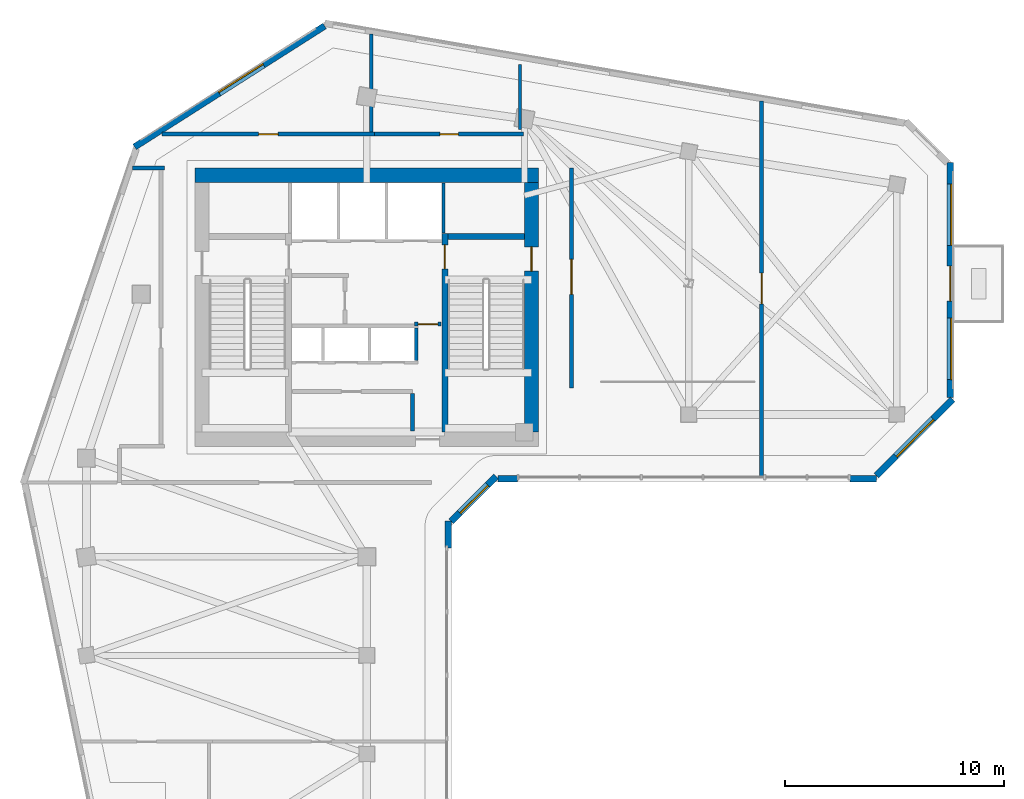
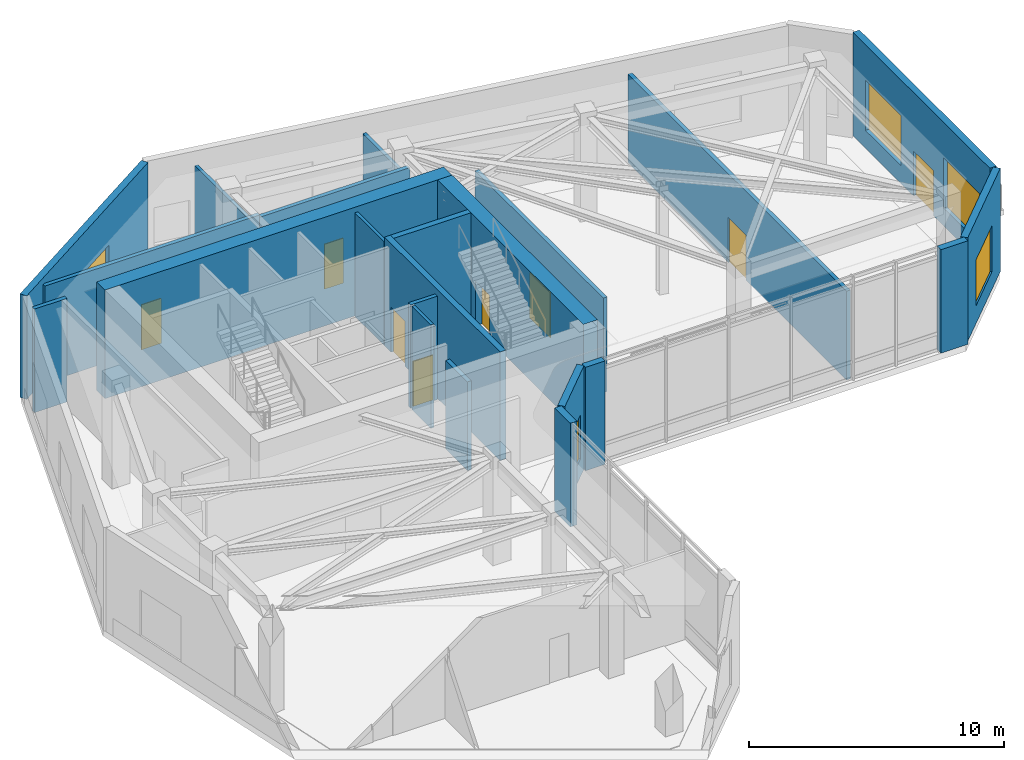
# One storey, part 6 of 10: 22 walls, 8 doors, 5 windows, 13 openings.
"""IFC4 building model written with IfcOpenShell, lengths in metres."""

from ifc_helpers import new_model, si_unit, direction, frame, frame_2d, origin, place, context, subcontext, project, spatial, rectangle, extrude, source, transform, mapped, material, layer, layer_set, type_object, element, fill, save


model = new_model("IFC4")

# Units and contexts
model_context = context("Model", 3, precision=1e-05, world=origin(), true_north=direction((0.0, 1.0)))
body_context = subcontext(model_context, "Body", "Model", "MODEL_VIEW")
ifc_project = project(units=[si_unit("LENGTHUNIT", "METRE"), si_unit("AREAUNIT", "SQUARE_METRE"), si_unit("VOLUMEUNIT", "CUBIC_METRE"), si_unit("PLANEANGLEUNIT", "RADIAN"), si_unit("MASSUNIT", "GRAM", prefix="KILO")], contexts=[model_context])

# Site, building, storey
site_placement = place(None, origin())
site = spatial("IfcSite", under=ifc_project, at=site_placement, CompositionType="ELEMENT")
building_placement = place(site_placement, origin())
building = spatial("IfcBuilding", under=site, at=building_placement, Name="Calvemar Wedge Station Tower", CompositionType="ELEMENT")
storey_placement = place(building_placement, frame((0.0, 0.0, 178.199951171875)))
storey = spatial("IfcBuildingStorey", under=building, at=storey_placement, Name="L44", CompositionType="ELEMENT", Elevation=178.199951171875)

# Wall, opening, door
ifc_material_1 = material(Name="Concrete C50", Category="concrete")
ifc_layer_1 = layer(ifc_material_1, 0.260009765625)
ifc_layer_set_1 = layer_set([ifc_layer_1], Name="Concrete C50")
wall_type_1 = type_object("IfcWallType", Name="SW-CORE-260", PredefinedType="SHEAR", material=ifc_layer_set_1)
wall_1_placement = place(storey_placement, frame((27.3701171875, 34.199951171875, 0.0), z_axis=(0.0, 0.0, 1.0), x_axis=(0.0, 1.0, 0.0)))
wall_1 = element("IfcWall", 1, at=wall_1_placement, inside=storey, type_object=wall_type_1, Name="Storey L44 Core Shear Wall SPINE-E", PredefinedType="SHEAR", context=body_context, shape_type="SweptSolid", body=[
    extrude(rectangle(XDim=9.06005859375, YDim=0.260009765625, at=frame_2d((4.530029296875, 0.0))), origin(), (0.0, 0.0, 1.0), 5.199951171875),
])
shared_shape_1 = source(origin(), body_context, "Body", "SweptSolid", [
    extrude(rectangle(XDim=1.10009765625, YDim=2.14990234375, at=frame_2d((0.550048828125, 1.074951171875))), frame((0.0, 0.14013671875, 0.0), z_axis=(0.0, -1.0, 0.0), x_axis=(1.0, 0.0, 0.0)), (0.0, 0.0, 1.0), 0.280029296875),
])
opening_1_placement = place(wall_1_placement, frame((7.449951171875, 0.0, 0.0)))
opening_1 = element("IfcOpeningElement", 2, at=opening_1_placement, cuts=wall_1, Name="Opening FD-90", PredefinedType="OPENING", context=body_context, shape_type="MappedRepresentation", body=[
    mapped(shared_shape_1, transform((0.0, 0.0, 0.0), scale=1.0)),
])
ifc_material_2 = material(Name="Galvanized fire-rated steel door leaf P-90", Category="steel")
door_type_1 = type_object("IfcDoorType", Name="DR-FD90-1100", OperationType="NOTDEFINED", PredefinedType="DOOR", material=ifc_material_2)
shared_shape_2 = source(origin(), body_context, "Body", "SweptSolid", [
    extrude(rectangle(XDim=1.10009765625, YDim=2.14990234375, at=frame_2d((0.550048828125, 1.074951171875))), frame((0.0, 0.02490234375, 0.0), z_axis=(0.0, -1.0, 0.0), x_axis=(1.0, 0.0, 0.0)), (0.0, 0.0, 1.0), 0.050048828125),
])
door_1_placement = place(opening_1_placement, origin())
door_1 = element("IfcDoor", 3, at=door_1_placement, inside=storey, type_object=door_type_1, Name="L44 FF Lobby to Stair ST-C2 Door", OperationType="SINGLE_SWING_RIGHT", OverallHeight=2.14990234375, OverallWidth=1.10009765625, PredefinedType="DOOR", context=body_context, shape_type="MappedRepresentation", body=[
    mapped(shared_shape_2, transform((0.0, 0.0, 0.0), scale=1.0)),
])
fill(opening_1, door_1)

# Walls
wall_2_placement = place(storey_placement, frame((27.5, 43.1298828125, 0.0), z_axis=(0.0, 0.0, 1.0), x_axis=(1.0, 0.0, 0.0)))
element("IfcWall", 4, at=wall_2_placement, inside=storey, type_object=wall_type_1, Name="Storey L44 Core Shear Wall STC2-N", PredefinedType="SHEAR", context=body_context, shape_type="SweptSolid", body=[
    extrude(rectangle(XDim=3.5, YDim=0.260009765625, at=frame_2d((1.75, 0.0))), origin(), (0.0, 0.0, 1.0), 5.199951171875),
])
ifc_material_3 = material(Name="Concrete C60", Category="concrete")
ifc_layer_2 = layer(ifc_material_3, 0.64990234375)
ifc_layer_set_2 = layer_set([ifc_layer_2], Name="Concrete C60")
wall_type_2 = type_object("IfcWallType", Name="SW-CORE-650", PredefinedType="SHEAR", material=ifc_layer_set_2)
wall_3_placement = place(storey_placement, frame((15.949951171875, 45.925048828125, 0.0), z_axis=(0.0, 0.0, 1.0), x_axis=(1.0, 0.0, 0.0)))
element("IfcWall", 5, at=wall_3_placement, inside=storey, type_object=wall_type_2, Name="Storey L44 Core Shear Wall N", PredefinedType="SHEAR", context=body_context, shape_type="SweptSolid", body=[
    extrude(rectangle(XDim=15.699951171875, YDim=0.64990234375, at=frame_2d((7.85009765625, 0.0))), origin(), (0.0, 0.0, 1.0), 5.199951171875),
])

# Wall, opening, door
wall_4_placement = place(storey_placement, frame((31.324951171875, 34.199951171875, 0.0), z_axis=(0.0, 0.0, 1.0), x_axis=(0.0, 1.0, 0.0)))
wall_4 = element("IfcWall", 6, at=wall_4_placement, inside=storey, type_object=wall_type_2, Name="Storey L44 Core Shear Wall E", PredefinedType="SHEAR", context=body_context, shape_type="SweptSolid", body=[
    extrude(rectangle(XDim=11.400146484375, YDim=0.64990234375, at=frame_2d((5.7001953125, 0.0))), origin(), (0.0, 0.0, 1.0), 5.199951171875),
])
shared_shape_3 = source(origin(), body_context, "Body", "SweptSolid", [
    extrude(rectangle(XDim=1.10009765625, YDim=2.14990234375, at=frame_2d((0.550048828125, 1.074951171875))), frame((0.0, 0.3349609375, 0.0), z_axis=(0.0, -1.0, 0.0), x_axis=(1.0, 0.0, 0.0)), (0.0, 0.0, 1.0), 0.669921875),
])
opening_2_placement = place(wall_4_placement, frame((7.35009765625, 0.0, 0.0)))
opening_2 = element("IfcOpeningElement", 7, at=opening_2_placement, cuts=wall_4, Name="Opening FD-90", PredefinedType="OPENING", context=body_context, shape_type="MappedRepresentation", body=[
    mapped(shared_shape_3, transform((0.0, 0.0, 0.0), scale=1.0)),
])
door_2_placement = place(opening_2_placement, origin())
door_2 = element("IfcDoor", 8, at=door_2_placement, inside=storey, type_object=door_type_1, Name="L44 East Corridor to Exit Stair ST-C2 Door", OperationType="SINGLE_SWING_RIGHT", OverallHeight=2.14990234375, OverallWidth=1.10009765625, PredefinedType="DOOR", context=body_context, shape_type="MappedRepresentation", body=[
    mapped(shared_shape_2, transform((0.0, 0.0, 0.0), scale=1.0)),
])
fill(opening_2, door_2)

ifc_material_4 = material(Name="Double-stud fire-rated corridor partition")
ifc_layer_3 = layer(ifc_material_4, 0.179931640625)
ifc_layer_set_3 = layer_set([ifc_layer_3], Name="Double-stud fire-rated corridor partition")
wall_type_3 = type_object("IfcWallType", Name="W-CORR-180", PredefinedType="PARTITIONING", material=ifc_layer_set_3)
wall_5_placement = place(storey_placement, frame((27.199951171875, 39.1298828125, 0.0), z_axis=(0.0, 0.0, 1.0), x_axis=(-1.0, 0.0, 0.0)))
wall_5 = element("IfcWall", 9, at=wall_5_placement, inside=storey, type_object=wall_type_3, Name="Storey L44 Interior Partition WL-L44-003", PredefinedType="PARTITIONING", context=body_context, shape_type="SweptSolid", body=[
    extrude(rectangle(XDim=1.2099609375, YDim=0.179931640625, at=frame_2d((0.60498046875, 0.0))), origin(), (0.0, 0.0, 1.0), 4.949951171875),
])
shared_shape_4 = source(origin(), body_context, "Body", "SweptSolid", [
    extrude(rectangle(XDim=0.89990234375, YDim=2.14990234375, at=frame_2d((0.449951171875, 1.074951171875))), frame((0.0, 0.10009765625, 0.0), z_axis=(0.0, -1.0, 0.0), x_axis=(1.0, 0.0, 0.0)), (0.0, 0.0, 1.0), 0.199951171875),
])
opening_3_placement = place(wall_5_placement, frame((0.155029296875, 0.0, 0.0)))
opening_3 = element("IfcOpeningElement", 10, at=opening_3_placement, cuts=wall_5, Name="Opening FD-60", PredefinedType="OPENING", context=body_context, shape_type="MappedRepresentation", body=[
    mapped(shared_shape_4, transform((0.0, 0.0, 0.0), scale=1.0)),
])
ifc_material_5 = material(Name="Fire-rated acoustic timber-core entrance door EI 60", Category="wood")
door_type_2 = type_object("IfcDoorType", Name="DR-FD60-900", OperationType="NOTDEFINED", PredefinedType="DOOR", material=ifc_material_5)
shared_shape_5 = source(origin(), body_context, "Body", "SweptSolid", [
    extrude(rectangle(XDim=0.89990234375, YDim=2.14990234375, at=frame_2d((0.449951171875, 1.074951171875))), frame((0.0, 0.02490234375, 0.0), z_axis=(0.0, -1.0, 0.0), x_axis=(1.0, 0.0, 0.0)), (0.0, 0.0, 1.0), 0.050048828125),
])
door_3_placement = place(opening_3_placement, origin())
door_3 = element("IfcDoor", 11, at=door_3_placement, inside=storey, type_object=door_type_2, Name="L44 Core Service Lobby Door", OperationType="SINGLE_SWING_LEFT", OverallHeight=2.14990234375, OverallWidth=0.89990234375, PredefinedType="DOOR", context=body_context, shape_type="MappedRepresentation", body=[
    mapped(shared_shape_5, transform((0.0, 0.0, 0.0), scale=1.0)),
])
fill(opening_3, door_3)

# Walls
wall_6_placement = place(storey_placement, frame((25.8798828125, 35.9560546875, 0.0), z_axis=(0.0, 0.0, 1.0), x_axis=(0.0, -1.0, 0.0)))
element("IfcWall", 12, at=wall_6_placement, inside=storey, type_object=wall_type_3, Name="Storey L44 Interior Partition WL-L44-005", PredefinedType="PARTITIONING", context=body_context, shape_type="SweptSolid", body=[
    extrude(rectangle(XDim=1.7060546875, YDim=0.179931640625, at=frame_2d((0.85302734375, 0.0))), origin(), (0.0, 0.0, 1.0), 4.241943359375),
])
wall_7_placement = place(storey_placement, frame((14.56005859375, 46.25, 0.0), z_axis=(0.0, 0.0, 1.0), x_axis=(-1.0, 0.0, 0.0)))
element("IfcWall", 13, at=wall_7_placement, inside=storey, type_object=wall_type_3, Name="Storey L44 Interior Partition WL-L44-010", PredefinedType="PARTITIONING", context=body_context, shape_type="SweptSolid", body=[
    extrude(rectangle(XDim=1.46875, YDim=0.179931640625, at=frame_2d((0.734375, 0.0))), origin(), (0.0, 0.0, 1.0), 4.949951171875),
])

# Wall, opening, door
wall_8_placement = place(storey_placement, frame((14.45263671875, 47.800048828125, 0.0), z_axis=(0.0, 0.0, 1.0), x_axis=(1.0, 0.0, 0.0)))
wall_8 = element("IfcWall", 14, at=wall_8_placement, inside=storey, type_object=wall_type_3, Name="Storey L44 Interior Partition WL-L44-011", PredefinedType="PARTITIONING", context=body_context, shape_type="SweptSolid", body=[
    extrude(rectangle(XDim=9.707275390625, YDim=0.179931640625, at=frame_2d((4.853515625, 0.0))), origin(), (0.0, 0.0, 1.0), 4.634033203125),
])
opening_4_placement = place(wall_8_placement, frame((4.40380859375, 0.0, 0.0)))
opening_4 = element("IfcOpeningElement", 15, at=opening_4_placement, cuts=wall_8, Name="Opening FD-60", PredefinedType="OPENING", context=body_context, shape_type="MappedRepresentation", body=[
    mapped(shared_shape_4, transform((0.0, 0.0, 0.0), scale=1.0)),
])
door_4_placement = place(opening_4_placement, origin())
door_4 = element("IfcDoor", 16, at=door_4_placement, inside=storey, type_object=door_type_2, Name="L44 Sky Lounge Kitchen Door", OperationType="SINGLE_SWING_RIGHT", OverallHeight=2.14990234375, OverallWidth=0.89990234375, PredefinedType="DOOR", context=body_context, shape_type="MappedRepresentation", body=[
    mapped(shared_shape_5, transform((0.0, 0.0, 0.0), scale=1.0)),
])
fill(opening_4, door_4)

wall_9_placement = place(storey_placement, frame((24.162109375, 47.800048828125, 0.0), z_axis=(0.0, 0.0, 1.0), x_axis=(1.0, 0.0, 0.0)))
wall_9 = element("IfcWall", 17, at=wall_9_placement, inside=storey, type_object=wall_type_3, Name="Storey L44 Interior Partition WL-L44-012", PredefinedType="PARTITIONING", context=body_context, shape_type="SweptSolid", body=[
    extrude(rectangle(XDim=6.7978515625, YDim=0.179931640625, at=frame_2d((3.39892578125, 0.0))), origin(), (0.0, 0.0, 1.0), 4.52197265625),
])
shared_shape_6 = source(origin(), body_context, "Body", "SweptSolid", [
    extrude(rectangle(XDim=0.85009765625, YDim=2.14990234375, at=frame_2d((0.425048828125, 1.074951171875))), frame((0.0, 0.10009765625, 0.0), z_axis=(0.0, -1.0, 0.0), x_axis=(1.0, 0.0, 0.0)), (0.0, 0.0, 1.0), 0.199951171875),
])
opening_5_placement = place(wall_9_placement, frame((2.97412109375, 0.0, 0.0)))
opening_5 = element("IfcOpeningElement", 18, at=opening_5_placement, cuts=wall_9, Name="Opening D-02", PredefinedType="OPENING", context=body_context, shape_type="MappedRepresentation", body=[
    mapped(shared_shape_6, transform((0.0, 0.0, 0.0), scale=1.0)),
])
ifc_material_6 = material(Name="Moisture-sealed bathroom hardwood swing door", Category="wood")
door_type_3 = type_object("IfcDoorType", Name="DR-WET-850", OperationType="NOTDEFINED", PredefinedType="DOOR", material=ifc_material_6)
shared_shape_7 = source(origin(), body_context, "Body", "SweptSolid", [
    extrude(rectangle(XDim=0.85009765625, YDim=2.14990234375, at=frame_2d((0.425048828125, 1.074951171875))), frame((0.0, 0.02490234375, 0.0), z_axis=(0.0, -1.0, 0.0), x_axis=(1.0, 0.0, 0.0)), (0.0, 0.0, 1.0), 0.050048828125),
])
door_5_placement = place(opening_5_placement, origin())
door_5 = element("IfcDoor", 19, at=door_5_placement, inside=storey, type_object=door_type_3, Name="L44 Accessible WC Door", OperationType="SINGLE_SWING_LEFT", OverallHeight=2.14990234375, OverallWidth=0.85009765625, PredefinedType="DOOR", context=body_context, shape_type="MappedRepresentation", body=[
    mapped(shared_shape_7, transform((0.0, 0.0, 0.0), scale=1.0)),
])
fill(opening_5, door_5)

wall_10_placement = place(storey_placement, frame((33.14990234375, 46.25, 0.0), z_axis=(0.0, 0.0, 1.0), x_axis=(0.0, -1.0, 0.0)))
wall_10 = element("IfcWall", 20, at=wall_10_placement, inside=storey, type_object=wall_type_3, Name="Storey L44 Interior Partition WL-L44-013", PredefinedType="PARTITIONING", context=body_context, shape_type="SweptSolid", body=[
    extrude(rectangle(XDim=10.050048828125, YDim=0.179931640625, at=frame_2d((5.02490234375, 0.0))), origin(), (0.0, 0.0, 1.0), 4.52197265625),
])
shared_shape_8 = source(origin(), body_context, "Body", "SweptSolid", [
    extrude(rectangle(XDim=1.60009765625, YDim=2.14990234375, at=frame_2d((0.800048828125, 1.074951171875))), frame((0.0, 0.10009765625, 0.0), z_axis=(0.0, -1.0, 0.0), x_axis=(1.0, 0.0, 0.0)), (0.0, 0.0, 1.0), 0.199951171875),
])
opening_6_placement = place(wall_10_placement, frame((4.164306640625, 0.0, 0.0)))
opening_6 = element("IfcOpeningElement", 21, at=opening_6_placement, cuts=wall_10, Name="Opening DD-160", PredefinedType="OPENING", context=body_context, shape_type="MappedRepresentation", body=[
    mapped(shared_shape_8, transform((0.0, 0.0, 0.0), scale=1.0)),
])
ifc_material_7 = material(Name="Double-leaf fire-rated lobby door EI 60")
door_type_4 = type_object("IfcDoorType", Name="DR-DBL-1600", OperationType="DOUBLE_DOOR_SINGLE_SWING", PredefinedType="DOOR", material=ifc_material_7)
shared_shape_9 = source(origin(), body_context, "Body", "SweptSolid", [
    extrude(rectangle(XDim=1.60009765625, YDim=2.14990234375, at=frame_2d((0.800048828125, 1.074951171875))), frame((0.0, 0.02490234375, 0.0), z_axis=(0.0, -1.0, 0.0), x_axis=(1.0, 0.0, 0.0)), (0.0, 0.0, 1.0), 0.050048828125),
])
door_6_placement = place(opening_6_placement, origin())
door_6 = element("IfcDoor", 22, at=door_6_placement, inside=storey, type_object=door_type_4, Name="L44 Residential Sky Lobby Door", OperationType="SINGLE_SWING_RIGHT", OverallHeight=2.14990234375, OverallWidth=1.60009765625, PredefinedType="DOOR", context=body_context, shape_type="MappedRepresentation", body=[
    mapped(shared_shape_9, transform((0.0, 0.0, 0.0), scale=1.0)),
])
fill(opening_6, door_6)

wall_11_placement = place(storey_placement, frame((41.8349609375, 49.31884765625, 0.0), z_axis=(0.0, 0.0, 1.0), x_axis=(0.0, -1.0, 0.0)))
wall_11 = element("IfcWall", 23, at=wall_11_placement, inside=storey, type_object=wall_type_3, Name="Storey L44 Interior Partition WL-L44-015", PredefinedType="PARTITIONING", context=body_context, shape_type="SweptSolid", body=[
    extrude(rectangle(XDim=17.1298828125, YDim=0.179931640625, at=frame_2d((8.56494140625, 0.0))), origin(), (0.0, 0.0, 1.0), 4.241943359375),
])
shared_shape_10 = source(origin(), body_context, "Body", "SweptSolid", [
    extrude(rectangle(XDim=1.39990234375, YDim=2.14990234375, at=frame_2d((0.699951171875, 1.074951171875))), frame((0.0, 0.10009765625, 0.0), z_axis=(0.0, -1.0, 0.0), x_axis=(1.0, 0.0, 0.0)), (0.0, 0.0, 1.0), 0.199951171875),
])
opening_7_placement = place(wall_11_placement, frame((7.864990234375, 0.0, 0.0)))
opening_7 = element("IfcOpeningElement", 24, at=opening_7_placement, cuts=wall_11, Name="Opening DD-140", PredefinedType="OPENING", context=body_context, shape_type="MappedRepresentation", body=[
    mapped(shared_shape_10, transform((0.0, 0.0, 0.0), scale=1.0)),
])
ifc_material_8 = material(Name="Double-leaf corridor acoustic fire door EI 60")
door_type_5 = type_object("IfcDoorType", Name="DR-DBL-1400", OperationType="DOUBLE_DOOR_SINGLE_SWING", PredefinedType="DOOR", material=ifc_material_8)
shared_shape_11 = source(origin(), body_context, "Body", "SweptSolid", [
    extrude(rectangle(XDim=1.39990234375, YDim=2.14990234375, at=frame_2d((0.699951171875, 1.074951171875))), frame((0.0, 0.02490234375, 0.0), z_axis=(0.0, -1.0, 0.0), x_axis=(1.0, 0.0, 0.0)), (0.0, 0.0, 1.0), 0.050048828125),
])
door_7_placement = place(opening_7_placement, origin())
door_7 = element("IfcDoor", 25, at=door_7_placement, inside=storey, type_object=door_type_5, Name="L44 Private Dining Room Door", OperationType="SINGLE_SWING_LEFT", OverallHeight=2.14990234375, OverallWidth=1.39990234375, PredefinedType="DOOR", context=body_context, shape_type="MappedRepresentation", body=[
    mapped(shared_shape_11, transform((0.0, 0.0, 0.0), scale=1.0)),
])
fill(opening_7, door_7)

# Wall
ifc_material_9 = material(Name="Precast concrete C45", Category="concrete")
ifc_layer_4 = layer(ifc_material_9, 0.300048828125)
ifc_layer_set_4 = layer_set([ifc_layer_4], Name="Precast concrete C45")
wall_type_4 = type_object("IfcWallType", Name="W-EXT-GFRC-300", PredefinedType="SOLIDWALL", material=ifc_layer_set_4)
wall_12_placement = place(storey_placement, frame((27.513916015625, 28.9111328125, 0.0), z_axis=(0.0, 0.0, 1.0), x_axis=(0.0, 1.0, 0.0)))
element("IfcWall", 26, at=wall_12_placement, inside=storey, type_object=wall_type_4, Name="Storey L44 Bronze GFRC Corner Pier 4B", PredefinedType="SOLIDWALL", context=body_context, shape_type="SweptSolid", body=[
    extrude(rectangle(XDim=1.224853515625, YDim=0.300048828125, at=frame_2d((0.6123046875, 0.0))), origin(), (0.0, 0.0, 1.0), 4.949951171875),
])

# Wall, opening, window
wall_13_placement = place(storey_placement, frame((27.652099609375, 30.1240234375, 0.0), z_axis=(0.0, 0.0, 1.0), x_axis=(0.707064797706, 0.707148762175, 0.0)))
wall_13 = element("IfcWall", 27, at=wall_13_placement, inside=storey, type_object=wall_type_4, Name="Storey L44 Bronze GFRC Exterior Wall 5", PredefinedType="SOLIDWALL", context=body_context, shape_type="SweptSolid", body=[
    extrude(rectangle(XDim=2.90771484375, YDim=0.300048828125, at=frame_2d((1.453857421875, 0.0))), origin(), (0.0, 0.0, 1.0), 4.949951171875),
])
shared_shape_12 = source(origin(), body_context, "Body", "SweptSolid", [
    extrude(rectangle(XDim=1.800048828125, YDim=2.10009765625, at=frame_2d((0.89990234375, 1.050048828125))), frame((0.0, 0.16015625, 0.0), z_axis=(0.0, -1.0, 0.0), x_axis=(1.0, 0.0, 0.0)), (0.0, 0.0, 1.0), 0.320068359375),
])
opening_8_placement = place(wall_13_placement, frame((0.553955078125, 0.0, 0.85009765625)))
opening_8 = element("IfcOpeningElement", 28, at=opening_8_placement, cuts=wall_13, Name="Opening W2", PredefinedType="OPENING", context=body_context, shape_type="MappedRepresentation", body=[
    mapped(shared_shape_12, transform((0.0, 0.0, 0.0), scale=1.0)),
])
ifc_material_10 = material(Name="Low-E laminated insulated glass", Category="glass")
window_type_1 = type_object("IfcWindowType", Name="WIN-EXT-2", PartitioningType="SINGLE_PANEL", PredefinedType="WINDOW", material=ifc_material_10)
shared_shape_13 = source(origin(), body_context, "Body", "SweptSolid", [
    extrude(rectangle(XDim=1.800048828125, YDim=2.10009765625, at=frame_2d((0.89990234375, 1.050048828125))), frame((0.0, -0.014892578125, 0.0), z_axis=(0.0, -1.0, 0.0), x_axis=(1.0, 0.0, 0.0)), (0.0, 0.0, 1.0), 0.06005859375),
])
window_1_placement = place(opening_8_placement, origin())
window_1 = element("IfcWindow", 29, at=window_1_placement, inside=storey, type_object=window_type_1, Name="Storey L44 Recessed Window 5.1", OverallHeight=2.10009765625, OverallWidth=1.800048828125, PartitioningType="SINGLE_PANEL", PredefinedType="WINDOW", context=body_context, shape_type="MappedRepresentation", body=[
    mapped(shared_shape_13, transform((0.0, 0.0, 0.0), scale=1.0)),
])
fill(opening_8, window_1)

# Walls
wall_14_placement = place(storey_placement, frame((29.797119140625, 32.073974609375, 0.0), z_axis=(0.0, 0.0, 1.0), x_axis=(1.0, 0.0, 0.0)))
element("IfcWall", 30, at=wall_14_placement, inside=storey, type_object=wall_type_4, Name="Storey L44 Bronze GFRC Corner Pier 6A", PredefinedType="SOLIDWALL", context=body_context, shape_type="SweptSolid", body=[
    extrude(rectangle(XDim=0.8798828125, YDim=0.300048828125, at=frame_2d((0.43994140625, 0.0))), origin(), (0.0, 0.0, 1.0), 4.949951171875),
])
wall_15_placement = place(storey_placement, frame((45.86279296875, 32.073974609375, 0.0), z_axis=(0.0, 0.0, 1.0), x_axis=(1.0, 0.0, 0.0)))
element("IfcWall", 31, at=wall_15_placement, inside=storey, type_object=wall_type_4, Name="Storey L44 Bronze GFRC Corner Pier 6B", PredefinedType="SOLIDWALL", context=body_context, shape_type="SweptSolid", body=[
    extrude(rectangle(XDim=1.22509765625, YDim=0.300048828125, at=frame_2d((0.612548828125, 0.0))), origin(), (0.0, 0.0, 1.0), 4.949951171875),
])

# Wall, opening, window
wall_16_placement = place(storey_placement, frame((47.075927734375, 32.2119140625, 0.0), z_axis=(0.0, 0.0, 1.0), x_axis=(0.707106781187, 0.707106781187, 0.0)))
wall_16 = element("IfcWall", 32, at=wall_16_placement, inside=storey, type_object=wall_type_4, Name="Storey L44 Bronze GFRC Exterior Wall 7", PredefinedType="SOLIDWALL", context=body_context, shape_type="SweptSolid", body=[
    extrude(rectangle(XDim=4.921875, YDim=0.300048828125, at=frame_2d((2.4609375, 0.0))), origin(), (0.0, 0.0, 1.0), 4.949951171875),
])
shared_shape_14 = source(origin(), body_context, "Body", "SweptSolid", [
    extrude(rectangle(XDim=2.39990234375, YDim=2.199951171875, at=frame_2d((1.199951171875, 1.10009765625))), frame((0.0, 0.16015625, 0.0), z_axis=(0.0, -1.0, 0.0), x_axis=(1.0, 0.0, 0.0)), (0.0, 0.0, 1.0), 0.320068359375),
])
opening_9_placement = place(wall_16_placement, frame((1.260986328125, 0.0, 0.85009765625)))
opening_9 = element("IfcOpeningElement", 33, at=opening_9_placement, cuts=wall_16, Name="Opening W1", PredefinedType="OPENING", context=body_context, shape_type="MappedRepresentation", body=[
    mapped(shared_shape_14, transform((0.0, 0.0, 0.0), scale=1.0)),
])
window_type_2 = type_object("IfcWindowType", Name="WIN-EXT-1", PartitioningType="SINGLE_PANEL", PredefinedType="WINDOW", material=ifc_material_10)
shared_shape_15 = source(origin(), body_context, "Body", "SweptSolid", [
    extrude(rectangle(XDim=2.39990234375, YDim=2.199951171875, at=frame_2d((1.199951171875, 1.10009765625))), frame((0.0, -0.014892578125, 0.0), z_axis=(0.0, -1.0, 0.0), x_axis=(1.0, 0.0, 0.0)), (0.0, 0.0, 1.0), 0.06005859375),
])
window_2_placement = place(opening_9_placement, origin())
window_2 = element("IfcWindow", 34, at=window_2_placement, inside=storey, type_object=window_type_2, Name="Storey L44 Recessed Window 7.1", OverallHeight=2.199951171875, OverallWidth=2.39990234375, PartitioningType="SINGLE_PANEL", PredefinedType="WINDOW", context=body_context, shape_type="MappedRepresentation", body=[
    mapped(shared_shape_15, transform((0.0, 0.0, 0.0), scale=1.0)),
])
fill(opening_9, window_2)

# Wall, openings, windows, door
wall_17_placement = place(storey_placement, frame((50.449951171875, 35.78125, 0.0), z_axis=(0.0, 0.0, 1.0), x_axis=(0.0, 1.0, 0.0)))
wall_17 = element("IfcWall", 35, at=wall_17_placement, inside=storey, type_object=wall_type_4, Name="Storey L44 Bronze GFRC Exterior Wall 8", PredefinedType="SOLIDWALL", context=body_context, shape_type="SweptSolid", body=[
    extrude(rectangle(XDim=10.730712890625, YDim=0.300048828125, at=frame_2d((5.365234375, 0.0))), origin(), (0.0, 0.0, 1.0), 4.949951171875),
])
shared_shape_16 = source(origin(), body_context, "Body", "SweptSolid", [
    extrude(rectangle(XDim=1.60009765625, YDim=2.14990234375, at=frame_2d((0.800048828125, 1.074951171875))), frame((0.0, 0.16015625, 0.0), z_axis=(0.0, -1.0, 0.0), x_axis=(1.0, 0.0, 0.0)), (0.0, 0.0, 1.0), 0.320068359375),
])
opening_10_placement = place(wall_17_placement, frame((4.39306640625, 0.0, 0.0)))
opening_10 = element("IfcOpeningElement", 36, at=opening_10_placement, cuts=wall_17, Name="Opening DT1", PredefinedType="OPENING", context=body_context, shape_type="MappedRepresentation", body=[
    mapped(shared_shape_16, transform((0.0, 0.0, 0.0), scale=1.0)),
])
shared_shape_17 = source(origin(), body_context, "Body", "SweptSolid", [
    extrude(rectangle(XDim=2.800048828125, YDim=2.39990234375, at=frame_2d((1.39990234375, 1.199951171875))), frame((0.0, 0.16015625, 0.0), z_axis=(0.0, -1.0, 0.0), x_axis=(1.0, 0.0, 0.0)), (0.0, 0.0, 1.0), 0.320068359375),
])
opening_11_placement = place(wall_17_placement, frame((0.81689453125, 0.0, 0.85009765625)))
opening_11 = element("IfcOpeningElement", 37, at=opening_11_placement, cuts=wall_17, Name="Opening W6", PredefinedType="OPENING", context=body_context, shape_type="MappedRepresentation", body=[
    mapped(shared_shape_17, transform((0.0, 0.0, 0.0), scale=1.0)),
])
opening_12_placement = place(wall_17_placement, frame((6.94189453125, 0.0, 0.85009765625)))
opening_12 = element("IfcOpeningElement", 38, at=opening_12_placement, cuts=wall_17, Name="Opening W6", PredefinedType="OPENING", context=body_context, shape_type="MappedRepresentation", body=[
    mapped(shared_shape_17, transform((0.0, 0.0, 0.0), scale=1.0)),
])
window_type_3 = type_object("IfcWindowType", Name="WIN-EXT-6", PartitioningType="SINGLE_PANEL", PredefinedType="WINDOW", material=ifc_material_10)
shared_shape_18 = source(origin(), body_context, "Body", "SweptSolid", [
    extrude(rectangle(XDim=2.800048828125, YDim=2.39990234375, at=frame_2d((1.39990234375, 1.199951171875))), frame((0.0, -0.014892578125, 0.0), z_axis=(0.0, -1.0, 0.0), x_axis=(1.0, 0.0, 0.0)), (0.0, 0.0, 1.0), 0.06005859375),
])
window_3_placement = place(opening_11_placement, origin())
window_3 = element("IfcWindow", 39, at=window_3_placement, inside=storey, type_object=window_type_3, Name="Storey L44 Recessed Window 8.1", OverallHeight=2.39990234375, OverallWidth=2.800048828125, PartitioningType="SINGLE_PANEL", PredefinedType="WINDOW", context=body_context, shape_type="MappedRepresentation", body=[
    mapped(shared_shape_18, transform((0.0, 0.0, 0.0), scale=1.0)),
])
fill(opening_11, window_3)
window_4_placement = place(opening_12_placement, origin())
window_4 = element("IfcWindow", 40, at=window_4_placement, inside=storey, type_object=window_type_3, Name="Storey L44 Recessed Window 8.2", OverallHeight=2.39990234375, OverallWidth=2.800048828125, PartitioningType="SINGLE_PANEL", PredefinedType="WINDOW", context=body_context, shape_type="MappedRepresentation", body=[
    mapped(shared_shape_18, transform((0.0, 0.0, 0.0), scale=1.0)),
])
fill(opening_12, window_4)
ifc_material_11 = material(Name="Anodised aluminium 6063-T6", Category="aluminium")
door_type_6 = type_object("IfcDoorType", Name="DR-TERR-1600", OperationType="DOUBLE_DOOR_SLIDING", PredefinedType="DOOR", material=ifc_material_11)
shared_shape_19 = source(origin(), body_context, "Body", "SweptSolid", [
    extrude(rectangle(XDim=1.60009765625, YDim=2.14990234375, at=frame_2d((0.800048828125, 1.074951171875))), frame((0.0, 0.02490234375, 0.0), z_axis=(0.0, -1.0, 0.0), x_axis=(1.0, 0.0, 0.0)), (0.0, 0.0, 1.0), 0.050048828125),
])
door_8_placement = place(opening_10_placement, origin())
door_8 = element("IfcDoor", 41, at=door_8_placement, inside=storey, type_object=door_type_6, Name="Storey L44 Spiral Terrace Door", OperationType="DOUBLE_DOOR_SLIDING", OverallHeight=2.14990234375, OverallWidth=1.60009765625, PredefinedType="DOOR", context=body_context, shape_type="MappedRepresentation", body=[
    mapped(shared_shape_19, transform((0.0, 0.0, 0.0), scale=1.0)),
])
fill(opening_10, door_8)

# Wall, opening, window
wall_18_placement = place(storey_placement, frame((21.87451171875, 52.7421875, 0.0), z_axis=(0.0, 0.0, 1.0), x_axis=(-0.843666375448, -0.536867811419, 0.0)))
wall_18 = element("IfcWall", 42, at=wall_18_placement, inside=storey, type_object=wall_type_4, Name="Storey L44 Bronze GFRC Exterior Wall 11", PredefinedType="SOLIDWALL", context=body_context, shape_type="SweptSolid", body=[
    extrude(rectangle(XDim=10.28369140625, YDim=0.300048828125, at=frame_2d((5.141845703125, 0.0))), origin(), (0.0, 0.0, 1.0), 4.949951171875),
])
opening_13_placement = place(wall_18_placement, frame((3.306884765625, 0.0, 0.85009765625)))
opening_13 = element("IfcOpeningElement", 43, at=opening_13_placement, cuts=wall_18, Name="Opening W1", PredefinedType="OPENING", context=body_context, shape_type="MappedRepresentation", body=[
    mapped(shared_shape_14, transform((0.0, 0.0, 0.0), scale=1.0)),
])
window_5_placement = place(opening_13_placement, origin())
window_5 = element("IfcWindow", 44, at=window_5_placement, inside=storey, type_object=window_type_2, Name="Storey L44 Recessed Window 11.1", OverallHeight=2.199951171875, OverallWidth=2.39990234375, PartitioningType="SINGLE_PANEL", PredefinedType="WINDOW", context=body_context, shape_type="MappedRepresentation", body=[
    mapped(shared_shape_15, transform((0.0, 0.0, 0.0), scale=1.0)),
])
fill(opening_13, window_5)

# Walls
ifc_material_12 = material(Name="Reinforced concrete blockwork lift shaft wall", Category="masonry")
ifc_layer_5 = layer(ifc_material_12, 0.139892578125)
ifc_layer_set_5 = layer_set([ifc_layer_5], Name="Reinforced concrete blockwork lift shaft wall")
wall_type_5 = type_object("IfcWallType", Name="W-LIFT-160", PredefinedType="SOLIDWALL", material=ifc_layer_set_5)
wall_19_placement = place(storey_placement, frame((27.31005859375, 43.280029296875, 0.0), z_axis=(0.0, 0.0, 1.0), x_axis=(0.0, 1.0, 0.0)))
element("IfcWall", 45, at=wall_19_placement, inside=storey, type_object=wall_type_5, Name="Storey L44 Firefighting Lift Shaft Enclosure Wall E", PredefinedType="SOLIDWALL", context=body_context, shape_type="SweptSolid", body=[
    extrude(rectangle(XDim=2.300048828125, YDim=0.139892578125, at=frame_2d((1.14990234375, 0.0))), origin(), (0.0, 0.0, 1.0), 4.949951171875),
])
wall_20_placement = place(storey_placement, frame((26.06005859375, 37.4599609375, 0.0), z_axis=(0.0, 0.0, 1.0), x_axis=(0.0, 1.0, 0.0)))
element("IfcWall", 46, at=wall_20_placement, inside=storey, type_object=wall_type_5, Name="Storey L44 Upper Passenger Lift Shaft Wall E", PredefinedType="SOLIDWALL", context=body_context, shape_type="SweptSolid", body=[
    extrude(rectangle(XDim=1.47998046875, YDim=0.139892578125, at=frame_2d((0.739990234375, 0.0))), origin(), (0.0, 0.0, 1.0), 4.949951171875),
])
ifc_material_13 = material(Name="Moisture-resistant acoustic bathroom partition")
ifc_layer_6 = layer(ifc_material_13, 0.14990234375)
ifc_layer_set_6 = layer_set([ifc_layer_6], Name="Moisture-resistant acoustic bathroom partition")
wall_type_6 = type_object("IfcWallType", Name="W-WET-150", PredefinedType="PARTITIONING", material=ifc_layer_set_6)
wall_21_placement = place(storey_placement, frame((24.0, 52.386962890625, 0.0), z_axis=(0.0, 0.0, 1.0), x_axis=(0.0, -1.0, 0.0)))
element("IfcWall", 47, at=wall_21_placement, inside=storey, type_object=wall_type_6, Name="Storey L44 Interior Partition WL-L44-016", PredefinedType="PARTITIONING", context=body_context, shape_type="SweptSolid", body=[
    extrude(rectangle(XDim=4.492919921875, YDim=0.14990234375, at=frame_2d((2.24658203125, 0.0))), origin(), (0.0, 0.0, 1.0), 4.241943359375),
])
wall_22_placement = place(storey_placement, frame((30.800048828125, 50.993896484375, 0.0), z_axis=(0.0, 0.0, 1.0), x_axis=(0.0, -1.0, 0.0)))
element("IfcWall", 48, at=wall_22_placement, inside=storey, type_object=wall_type_6, Name="Storey L44 Bathroom Enclosure Wall WL-L44-020", PredefinedType="PARTITIONING", context=body_context, shape_type="SweptSolid", body=[
    extrude(rectangle(XDim=2.973876953125, YDim=0.14990234375, at=frame_2d((1.48681640625, 0.0))), origin(), (0.0, 0.0, 1.0), 4.241943359375),
])

save(model, "model.ifc")
